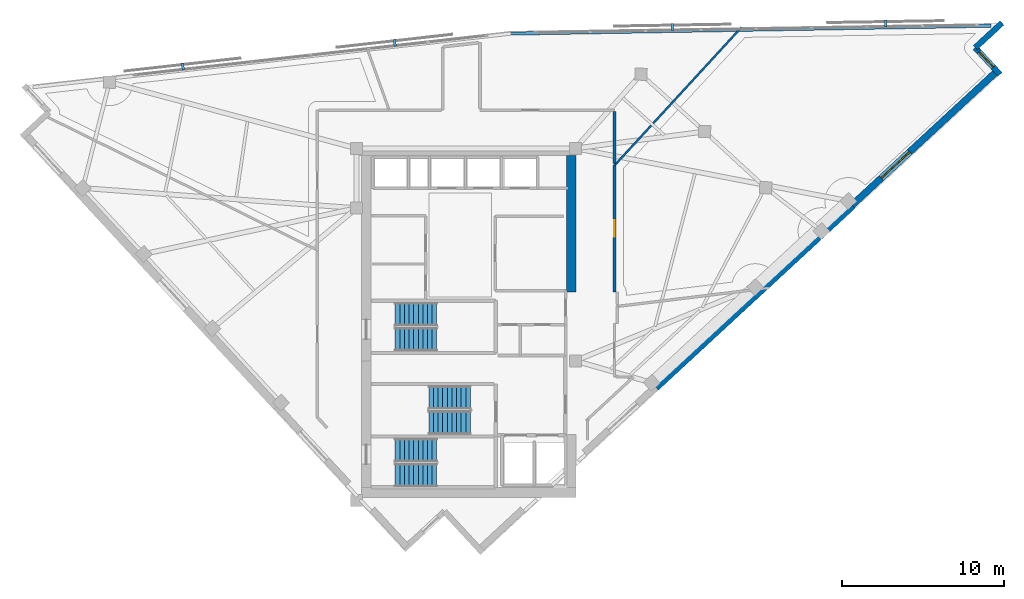
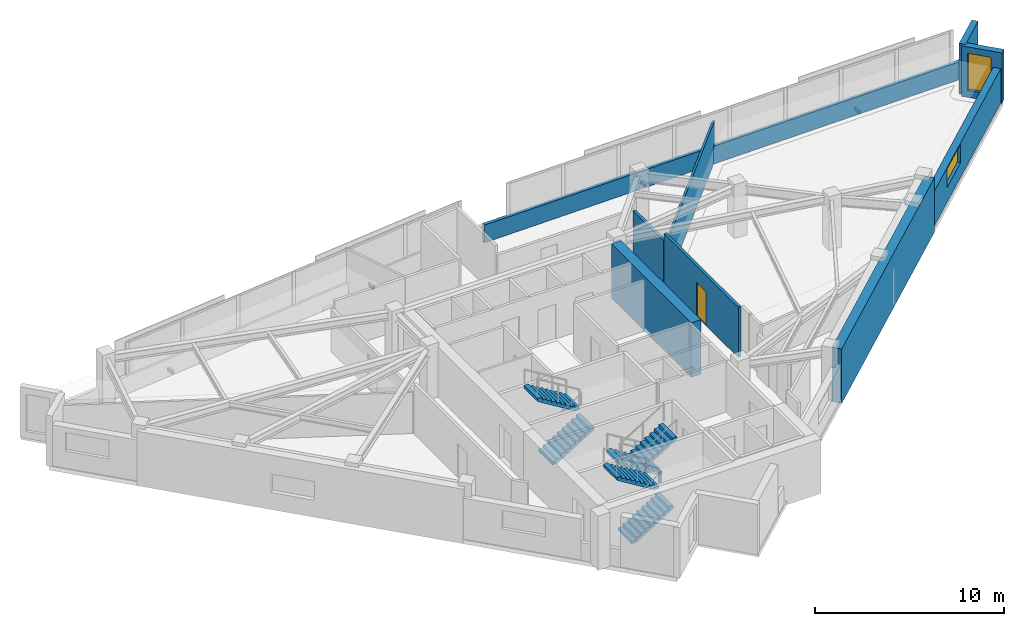
# One storey, part 10 of 12: 9 walls, 6 stair flights, 4 discrete accessories, 2 windows, 1 door, 3 openings, 3 elements without a shape of their own.
"""IFC4 building model written with IfcOpenShell, lengths in metres."""

from ifc_helpers import new_model, si_unit, direction, frame, frame_2d, origin, origin_2d, place, context, subcontext, project, spatial, polyline, rectangle, outline, extrude, material, layer, layer_set, type_object, element, fill, aggregate, save


model = new_model("IFC4")

# Units and contexts
model_context = context("Model", 3, precision=1e-05, world=origin(), true_north=direction((0.0, 1.0)))
body_context = subcontext(model_context, "Body", "Model", "MODEL_VIEW")
ifc_project = project(units=[si_unit("LENGTHUNIT", "METRE"), si_unit("AREAUNIT", "SQUARE_METRE"), si_unit("VOLUMEUNIT", "CUBIC_METRE"), si_unit("PLANEANGLEUNIT", "RADIAN"), si_unit("MASSUNIT", "GRAM", prefix="KILO")], contexts=[model_context])

# Site, building, storey
site_placement = place(None, origin())
site = spatial("IfcSite", under=ifc_project, at=site_placement, CompositionType="ELEMENT")
building_placement = place(site_placement, origin())
building = spatial("IfcBuilding", under=site, at=building_placement, Name="Narakoshi Arena Tower", CompositionType="ELEMENT")
storey_placement = place(building_placement, frame((0.0, 0.0, 267.780029296875)))
storey = spatial("IfcBuildingStorey", under=building, at=storey_placement, Name="L73", CompositionType="ELEMENT", Elevation=267.780029296875)

# Wall
ifc_material_1 = material(Name="Concrete C50/60", Category="concrete")
ifc_layer_1 = layer(ifc_material_1, 0.60009765625)
ifc_layer_set_1 = layer_set([ifc_layer_1], Name="Concrete C50/60")
wall_type_1 = type_object("IfcWallType", Name="WL-CORE-600", PredefinedType="SHEAR", material=ifc_layer_set_1)
wall_1_placement = place(storey_placement, frame((85.300048828125, 47.60009765625, -0.260009765625), z_axis=(0.0, 0.0, 1.0), x_axis=(0.0, 1.0, 0.0)))
element("IfcWall", 1, at=wall_1_placement, inside=storey, type_object=wall_type_1, Name="L73 Main Core Shear Wall CW-MN-E", PredefinedType="SHEAR", context=body_context, shape_type="SweptSolid", body=[
    extrude(rectangle(XDim=8.449951171875, YDim=0.60009765625, at=frame_2d((4.22509765625, 0.0))), origin(), (0.0, 0.0, 1.0), 3.52001953125),
])

# Wall, opening, door
ifc_material_2 = material(Name="Gypsum plasterboard fire-rated partition")
ifc_layer_2 = layer(ifc_material_2, 0.1650390625)
ifc_layer_set_2 = layer_set([ifc_layer_2], Name="Gypsum plasterboard fire-rated partition")
wall_type_2 = type_object("IfcWallType", Name="WL-CORR-165", PredefinedType="PARTITIONING", material=ifc_layer_set_2)
wall_2_placement = place(storey_placement, frame((87.966796875, 47.6201171875, 0.0), z_axis=(0.0, 0.0, 1.0), x_axis=(0.0, 1.0, 0.0)))
wall_2 = element("IfcWall", 2, at=wall_2_placement, inside=storey, type_object=wall_type_2, Name="L73 Corridor Partition 02-1", PredefinedType="PARTITIONING", context=body_context, shape_type="SweptSolid", body=[
    extrude(rectangle(XDim=7.84423828125, YDim=0.1650390625, at=frame_2d((3.922119140625, 0.0))), origin(), (0.0, 0.0, 1.0), 3.260009765625),
])
opening_1_placement = place(wall_2_placement, frame((3.422119140625, 0.0, 0.0)))
opening_1 = element("IfcOpeningElement", 3, at=opening_1_placement, cuts=wall_2, Name="Opening D-06", PredefinedType="OPENING", context=body_context, shape_type="SweptSolid", body=[
    extrude(rectangle(XDim=1.0, YDim=2.199951171875, at=frame_2d((0.5, 1.10009765625))), frame((0.0, 0.092529296875, 0.0), z_axis=(0.0, -1.0, 0.0), x_axis=(1.0, 0.0, 0.0)), (0.0, 0.0, 1.0), 0.18505859375),
])
ifc_material_3 = material(Name="Stained oak solid-core timber", Category="wood")
door_type = type_object("IfcDoorType", Name="DR-OFF-1000", OperationType="NOTDEFINED", PredefinedType="DOOR", material=ifc_material_3)
door_placement = place(opening_1_placement, frame((1.0, 0.0, 0.0), z_axis=(0.0, 0.0, 1.0), x_axis=(-1.0, 0.0, 0.0)))
door = element("IfcDoor", 4, at=door_placement, inside=storey, type_object=door_type, Name="DR-L73-017", OperationType="SINGLE_SWING_RIGHT", OverallHeight=2.199951171875, OverallWidth=1.0, PredefinedType="DOOR", context=body_context, shape_type="SweptSolid", body=[
    extrude(rectangle(XDim=1.0, YDim=2.199951171875, at=frame_2d((0.5, 1.10009765625))), frame((0.0, 0.02490234375, 0.0), z_axis=(0.0, -1.0, 0.0), x_axis=(1.0, 0.0, 0.0)), (0.0, 0.0, 1.0), 0.050048828125),
])
fill(opening_1, door)

# Walls
wall_3_placement = place(storey_placement, frame((87.966796875, 55.5498046875, 0.0), z_axis=(0.0, 0.0, 1.0), x_axis=(0.0, 1.0, 0.0)))
element("IfcWall", 5, at=wall_3_placement, inside=storey, type_object=wall_type_2, Name="L73 Corridor Partition 03-4", PredefinedType="PARTITIONING", context=body_context, shape_type="SweptSolid", body=[
    extrude(rectangle(XDim=3.222412109375, YDim=0.1650390625, at=frame_2d((1.611328125, 0.0))), origin(), (0.0, 0.0, 1.0), 2.744873046875),
])
ifc_layer_3 = layer(ifc_material_1, 0.550048828125)
ifc_layer_set_3 = layer_set([ifc_layer_3], Name="Concrete C50/60")
wall_type_3 = type_object("IfcWallType", Name="WL-LEG-550", PredefinedType="SHEAR", material=ifc_layer_set_3)
wall_4_placement = place(storey_placement, frame((90.5078125, 41.739501953125, -0.260009765625), z_axis=(0.0, 0.0, 1.0), x_axis=(0.734315848115, 0.678807951638, 0.0)))
element("IfcWall", 6, at=wall_4_placement, inside=storey, type_object=wall_type_3, Name="L73 Architectural Concrete Structural Wall LEGA-3", PredefinedType="SHEAR", context=body_context, shape_type="SweptSolid", body=[
    extrude(rectangle(XDim=16.57275390625, YDim=0.550048828125, at=frame_2d((8.286376953125, 0.0))), origin(), (0.0, 0.0, 1.0), 3.52001953125),
])
ifc_material_4 = material(Name="Precast concrete C45/55", Category="concrete")
ifc_layer_4 = layer(ifc_material_4, 0.25)
ifc_layer_set_4 = layer_set([ifc_layer_4], Name="Precast concrete C45/55")
wall_type_4 = type_object("IfcWallType", Name="WL-PARA-250", PredefinedType="PARAPET", material=ifc_layer_set_4)
wall_5_placement = place(storey_placement, frame((111.2705078125, 64.091796875, 0.0), z_axis=(0.0, 0.0, 1.0), x_axis=(-0.999864741935, -0.016446818413, 0.0)))
element("IfcWall", 7, at=wall_5_placement, inside=storey, type_object=wall_type_4, Name="L73 Hypotenuse Sill Upstand Parapet 1-01", PredefinedType="PARAPET", context=body_context, shape_type="SweptSolid", body=[
    extrude(rectangle(XDim=29.73291015625, YDim=0.199951171875, at=frame_2d((14.866455078125, 0.0))), origin(), (0.0, 0.0, 1.0), 1.14990234375),
])
ifc_layer_5 = layer(ifc_material_2, 0.125)
ifc_layer_set_5 = layer_set([ifc_layer_5], Name="Gypsum plasterboard fire-rated partition")
wall_type_5 = type_object("IfcWallType", Name="WL-PART-125", PredefinedType="PARTITIONING", material=ifc_layer_set_5)
wall_6_placement = place(storey_placement, frame((87.989501953125, 55.46435546875, 0.0), z_axis=(0.0, 0.0, 1.0), x_axis=(0.676751206436, 0.736211793295, 0.0)))
element("IfcWall", 8, at=wall_6_placement, inside=storey, type_object=wall_type_5, Name="L73 Inter-Room Partition 02-03", PredefinedType="PARTITIONING", context=body_context, shape_type="SweptSolid", body=[
    extrude(rectangle(XDim=11.591064453125, YDim=0.125, at=frame_2d((5.79541015625, 0.0))), origin(), (0.0, 0.0, 1.0), 2.64501953125),
])

# Wall, opening, window
ifc_layer_6 = layer(ifc_material_4, 0.419921875)
ifc_layer_set_6 = layer_set([ifc_layer_6], Name="Precast concrete C45/55")
wall_type_6 = type_object("IfcWallType", Name="WL-POD-420", PredefinedType="SOLIDWALL", material=ifc_layer_set_6)
wall_7_placement = place(storey_placement, frame((102.677490234375, 52.9892578125, 0.0), z_axis=(0.0, 0.0, 1.0), x_axis=(0.734331107219, 0.678791444386, 0.0)))
wall_7 = element("IfcWall", 9, at=wall_7_placement, inside=storey, type_object=wall_type_6, Name="L73 Architectural Concrete Facade Wall LEGA-4", PredefinedType="SOLIDWALL", context=body_context, shape_type="SweptSolid", body=[
    extrude(rectangle(XDim=12.21142578125, YDim=0.419921875, at=frame_2d((6.105712890625, 0.0))), origin(), (0.0, 0.0, 1.0), 2.244873046875),
])
opening_2_placement = place(wall_7_placement, frame((2.453857421875, 0.0, 0.965087890625)))
opening_2 = element("IfcOpeningElement", 10, at=opening_2_placement, cuts=wall_7, Name="Opening WN-04", PredefinedType="OPENING", context=body_context, shape_type="SweptSolid", body=[
    extrude(rectangle(XDim=2.39990234375, YDim=1.199951171875, at=frame_2d((1.199951171875, 0.60009765625))), frame((0.0, 0.219970703125, 0.0), z_axis=(0.0, -1.0, 0.0), x_axis=(1.0, 0.0, 0.0)), (0.0, 0.0, 1.0), 0.43994140625),
])
ifc_material_5 = material(Name="Bronze-tinted low-E laminated glass", Category="glass")
window_type_1 = type_object("IfcWindowType", Name="WIN-SLT-24x12", PartitioningType="SINGLE_PANEL", PredefinedType="WINDOW", material=ifc_material_5)
window_1_placement = place(opening_2_placement, origin())
window_1 = element("IfcWindow", 11, at=window_1_placement, inside=storey, type_object=window_type_1, Name="L73 LEGA4 Horizontal Slot Window 1", OverallHeight=1.199951171875, OverallWidth=2.39990234375, PartitioningType="SINGLE_PANEL", PredefinedType="WINDOW", context=body_context, shape_type="SweptSolid", body=[
    extrude(rectangle(XDim=2.39990234375, YDim=1.199951171875, at=frame_2d((1.199951171875, 0.60009765625))), frame((0.0, 0.030029296875, 0.0), z_axis=(0.0, -1.0, 0.0), x_axis=(1.0, 0.0, 0.0)), (0.0, 0.0, 1.0), 0.06005859375),
])
fill(opening_2, window_1)

wall_8_placement = place(storey_placement, frame((111.83154296875, 61.076416015625, 0.0), z_axis=(0.0, 0.0, 1.0), x_axis=(-0.678792531533, 0.734330102294, 0.0)))
wall_8 = element("IfcWall", 12, at=wall_8_placement, inside=storey, type_object=wall_type_6, Name="L73 Re-Entrant Corner Notch Wall NTE-1", PredefinedType="SOLIDWALL", context=body_context, shape_type="SweptSolid", body=[
    extrude(rectangle(XDim=2.255126953125, YDim=0.360107421875, at=frame_2d((1.12744140625, 0.0))), origin(), (0.0, 0.0, 1.0), 3.260009765625),
])
opening_3_placement = place(wall_8_placement, frame((0.614990234375, 0.0, 0.449951171875)))
opening_3 = element("IfcOpeningElement", 13, at=opening_3_placement, cuts=wall_8, Name="Opening WN-06", PredefinedType="OPENING", context=body_context, shape_type="SweptSolid", body=[
    extrude(rectangle(XDim=1.300048828125, YDim=2.39990234375, at=frame_2d((0.64990234375, 1.199951171875))), frame((0.0, 0.18994140625, 0.0), z_axis=(0.0, -1.0, 0.0), x_axis=(1.0, 0.0, 0.0)), (0.0, 0.0, 1.0), 0.380126953125),
])
window_type_2 = type_object("IfcWindowType", Name="WIN-NTC-16x24", PartitioningType="SINGLE_PANEL", PredefinedType="WINDOW", material=ifc_material_5)
window_2_placement = place(opening_3_placement, origin())
window_2 = element("IfcWindow", 14, at=window_2_placement, inside=storey, type_object=window_type_2, Name="L73 Corner Notch Window NTE", OverallHeight=2.39990234375, OverallWidth=1.300048828125, PartitioningType="SINGLE_PANEL", PredefinedType="WINDOW", context=body_context, shape_type="SweptSolid", body=[
    extrude(rectangle(XDim=1.300048828125, YDim=2.39990234375, at=frame_2d((0.64990234375, 1.199951171875))), frame((0.0, 0.030029296875, 0.0), z_axis=(0.0, -1.0, 0.0), x_axis=(1.0, 0.0, 0.0)), (0.0, 0.0, 1.0), 0.06005859375),
])
fill(opening_3, window_2)

# Wall
wall_9_placement = place(storey_placement, frame((110.30078125, 62.732421875, 0.0), z_axis=(0.0, 0.0, 1.0), x_axis=(0.734330102294, 0.678792531533, 0.0)))
element("IfcWall", 15, at=wall_9_placement, inside=storey, type_object=wall_type_6, Name="L73 Re-Entrant Corner Notch Wall NTE-2", PredefinedType="SOLIDWALL", context=body_context, shape_type="SweptSolid", body=[
    extrude(rectangle(XDim=2.255126953125, YDim=0.360107421875, at=frame_2d((1.12744140625, 0.0))), origin(), (0.0, 0.0, 1.0), 3.260009765625),
])

# Stair, stair flights
ifc_material_6 = material(Name="Concrete C45/55", Category="concrete")
stair_type = type_object("IfcStairType", Name="STR-CORE-352", PredefinedType="TWO_STRAIGHT_RUN_STAIR", material=ifc_material_6)
stair_1_placement = place(storey_placement, origin())
stair_1 = element("IfcStair", 16, at=stair_1_placement, inside=storey, type_object=stair_type, Name="L73 Core Escape Stair ST1", PredefinedType="TWO_STRAIGHT_RUN_STAIR")
stair_flight_type = type_object("IfcStairFlightType", Name="FLT-145-160", PredefinedType="STRAIGHT", material=ifc_material_4)
stair_flight_1_placement = place(storey_placement, frame((74.39990234375, 36.27490234375, 0.0), z_axis=(0.0, 0.0, 1.0), x_axis=(1.0, 0.0, 0.0)))
stair_flight_1 = element("IfcStairFlight", 17, at=stair_flight_1_placement, type_object=stair_flight_type, Name="ST1 flight 1", NumberOfRisers=10, NumberOfTreads=9, PredefinedType="STRAIGHT", RiserHeight=0.176, TreadLength=0.285, context=body_context, shape_type="SweptSolid", body=[
    extrude(outline(polyline([(0.0, 0.0), (0.0, 0.176025390625), (0.284912109375, 0.176025390625), (0.284912109375, 0.35205078125), (0.570068359375, 0.35205078125), (0.570068359375, 0.528076171875), (0.85498046875, 0.528076171875), (0.85498046875, 0.7041015625), (1.139892578125, 0.7041015625), (1.139892578125, 0.8798828125), (1.425048828125, 0.8798828125), (1.425048828125, 1.055908203125), (1.7099609375, 1.055908203125), (1.7099609375, 1.23193359375), (1.9951171875, 1.23193359375), (1.9951171875, 1.407958984375), (2.280029296875, 1.407958984375), (2.280029296875, 1.583984375), (2.56494140625, 1.583984375), (2.56494140625, 1.760009765625), (2.56494140625, 1.40771484375), (0.285400390625, 0.0), (0.0, 0.0)])), frame((0.0, 0.72509765625, 0.0), z_axis=(0.0, -1.0, 0.0), x_axis=(1.0, 0.0, 0.0)), (0.0, 0.0, 1.0), 1.449951171875),
])
stair_flight_2_placement = place(storey_placement, frame((76.965087890625, 37.824951171875, 1.760009765625), z_axis=(0.0, 0.0, 1.0), x_axis=(-1.0, 0.0, 0.0)))
stair_flight_2 = element("IfcStairFlight", 18, at=stair_flight_2_placement, type_object=stair_flight_type, Name="ST1 flight 2", NumberOfRisers=10, NumberOfTreads=9, PredefinedType="STRAIGHT", RiserHeight=0.176, TreadLength=0.285, context=body_context, shape_type="SweptSolid", body=[
    extrude(outline(polyline([(0.0, 0.0), (0.0, 0.176025390625), (0.284912109375, 0.176025390625), (0.284912109375, 0.35205078125), (0.570068359375, 0.35205078125), (0.570068359375, 0.528076171875), (0.85498046875, 0.528076171875), (0.85498046875, 0.7041015625), (1.139892578125, 0.7041015625), (1.139892578125, 0.8798828125), (1.425048828125, 0.8798828125), (1.425048828125, 1.055908203125), (1.7099609375, 1.055908203125), (1.7099609375, 1.23193359375), (1.9951171875, 1.23193359375), (1.9951171875, 1.407958984375), (2.280029296875, 1.407958984375), (2.280029296875, 1.583984375), (2.56494140625, 1.583984375), (2.56494140625, 1.760009765625), (2.56494140625, 1.40771484375), (0.285400390625, 0.0), (0.0, 0.0)])), frame((0.0, 0.72509765625, 0.0), z_axis=(0.0, -1.0, 0.0), x_axis=(1.0, 0.0, 0.0)), (0.0, 0.0, 1.0), 1.449951171875),
])
aggregate(stair_1, [stair_flight_1, stair_flight_2])

stair_2_placement = place(storey_placement, origin())
stair_2 = element("IfcStair", 19, at=stair_2_placement, inside=storey, type_object=stair_type, Name="L73 Core Escape Stair ST2", PredefinedType="TWO_STRAIGHT_RUN_STAIR")
stair_flight_3_placement = place(storey_placement, frame((79.050048828125, 41.074951171875, 0.0), z_axis=(0.0, 0.0, 1.0), x_axis=(-1.0, 0.0, 0.0)))
stair_flight_3 = element("IfcStairFlight", 20, at=stair_flight_3_placement, type_object=stair_flight_type, Name="ST2 flight 1", NumberOfRisers=10, NumberOfTreads=9, PredefinedType="STRAIGHT", RiserHeight=0.176, TreadLength=0.285, context=body_context, shape_type="SweptSolid", body=[
    extrude(outline(polyline([(0.0, 0.0), (0.0, 0.176025390625), (0.284912109375, 0.176025390625), (0.284912109375, 0.35205078125), (0.570068359375, 0.35205078125), (0.570068359375, 0.528076171875), (0.85498046875, 0.528076171875), (0.85498046875, 0.7041015625), (1.139892578125, 0.7041015625), (1.139892578125, 0.8798828125), (1.425048828125, 0.8798828125), (1.425048828125, 1.055908203125), (1.7099609375, 1.055908203125), (1.7099609375, 1.23193359375), (1.9951171875, 1.23193359375), (1.9951171875, 1.407958984375), (2.280029296875, 1.407958984375), (2.280029296875, 1.583984375), (2.56494140625, 1.583984375), (2.56494140625, 1.760009765625), (2.56494140625, 1.40771484375), (0.285400390625, 0.0), (0.0, 0.0)])), frame((0.0, 0.72509765625, 0.0), z_axis=(0.0, -1.0, 0.0), x_axis=(1.0, 0.0, 0.0)), (0.0, 0.0, 1.0), 1.449951171875),
])
stair_flight_4_placement = place(storey_placement, frame((76.485107421875, 39.52490234375, 1.760009765625), z_axis=(0.0, 0.0, 1.0), x_axis=(1.0, 0.0, 0.0)))
stair_flight_4 = element("IfcStairFlight", 21, at=stair_flight_4_placement, type_object=stair_flight_type, Name="ST2 flight 2", NumberOfRisers=10, NumberOfTreads=9, PredefinedType="STRAIGHT", RiserHeight=0.176, TreadLength=0.285, context=body_context, shape_type="SweptSolid", body=[
    extrude(outline(polyline([(0.0, 0.0), (0.0, 0.176025390625), (0.284912109375, 0.176025390625), (0.284912109375, 0.35205078125), (0.570068359375, 0.35205078125), (0.570068359375, 0.528076171875), (0.85498046875, 0.528076171875), (0.85498046875, 0.7041015625), (1.139892578125, 0.7041015625), (1.139892578125, 0.8798828125), (1.425048828125, 0.8798828125), (1.425048828125, 1.055908203125), (1.7099609375, 1.055908203125), (1.7099609375, 1.23193359375), (1.9951171875, 1.23193359375), (1.9951171875, 1.407958984375), (2.280029296875, 1.407958984375), (2.280029296875, 1.583984375), (2.56494140625, 1.583984375), (2.56494140625, 1.760009765625), (2.56494140625, 1.40771484375), (0.285400390625, 0.0), (0.0, 0.0)])), frame((0.0, 0.72509765625, 0.0), z_axis=(0.0, -1.0, 0.0), x_axis=(1.0, 0.0, 0.0)), (0.0, 0.0, 1.0), 1.449951171875),
])
aggregate(stair_2, [stair_flight_3, stair_flight_4])

stair_3_placement = place(storey_placement, origin())
stair_3 = element("IfcStair", 22, at=stair_3_placement, inside=storey, type_object=stair_type, Name="L73 Core Escape Stair ST3", PredefinedType="TWO_STRAIGHT_RUN_STAIR")
stair_flight_5_placement = place(storey_placement, frame((74.39990234375, 44.675048828125, 0.0), z_axis=(0.0, 0.0, 1.0), x_axis=(1.0, 0.0, 0.0)))
stair_flight_5 = element("IfcStairFlight", 23, at=stair_flight_5_placement, type_object=stair_flight_type, Name="ST3 flight 1", NumberOfRisers=10, NumberOfTreads=9, PredefinedType="STRAIGHT", RiserHeight=0.176, TreadLength=0.285, context=body_context, shape_type="SweptSolid", body=[
    extrude(outline(polyline([(0.0, 0.0), (0.0, 0.176025390625), (0.284912109375, 0.176025390625), (0.284912109375, 0.35205078125), (0.570068359375, 0.35205078125), (0.570068359375, 0.528076171875), (0.85498046875, 0.528076171875), (0.85498046875, 0.7041015625), (1.139892578125, 0.7041015625), (1.139892578125, 0.8798828125), (1.425048828125, 0.8798828125), (1.425048828125, 1.055908203125), (1.7099609375, 1.055908203125), (1.7099609375, 1.23193359375), (1.9951171875, 1.23193359375), (1.9951171875, 1.407958984375), (2.280029296875, 1.407958984375), (2.280029296875, 1.583984375), (2.56494140625, 1.583984375), (2.56494140625, 1.760009765625), (2.56494140625, 1.40771484375), (0.285400390625, 0.0), (0.0, 0.0)])), frame((0.0, 0.72509765625, 0.0), z_axis=(0.0, -1.0, 0.0), x_axis=(1.0, 0.0, 0.0)), (0.0, 0.0, 1.0), 1.449951171875),
])
stair_flight_6_placement = place(storey_placement, frame((76.965087890625, 46.22509765625, 1.760009765625), z_axis=(0.0, 0.0, 1.0), x_axis=(-1.0, 0.0, 0.0)))
stair_flight_6 = element("IfcStairFlight", 24, at=stair_flight_6_placement, type_object=stair_flight_type, Name="ST3 flight 2", NumberOfRisers=10, NumberOfTreads=9, PredefinedType="STRAIGHT", RiserHeight=0.176, TreadLength=0.285, context=body_context, shape_type="SweptSolid", body=[
    extrude(outline(polyline([(0.0, 0.0), (0.0, 0.176025390625), (0.284912109375, 0.176025390625), (0.284912109375, 0.35205078125), (0.570068359375, 0.35205078125), (0.570068359375, 0.528076171875), (0.85498046875, 0.528076171875), (0.85498046875, 0.7041015625), (1.139892578125, 0.7041015625), (1.139892578125, 0.8798828125), (1.425048828125, 0.8798828125), (1.425048828125, 1.055908203125), (1.7099609375, 1.055908203125), (1.7099609375, 1.23193359375), (1.9951171875, 1.23193359375), (1.9951171875, 1.407958984375), (2.280029296875, 1.407958984375), (2.280029296875, 1.583984375), (2.56494140625, 1.583984375), (2.56494140625, 1.760009765625), (2.56494140625, 1.40771484375), (0.285400390625, 0.0), (0.0, 0.0)])), frame((0.0, 0.72509765625, 0.0), z_axis=(0.0, -1.0, 0.0), x_axis=(1.0, 0.0, 0.0)), (0.0, 0.0, 1.0), 1.449951171875),
])
aggregate(stair_3, [stair_flight_5, stair_flight_6])

# Discrete accessories
ifc_material_7 = material(Name="Structural steel S355J2", Category="steel")
discrete_accessory_type = type_object("IfcDiscreteAccessoryType", Name="ACC-BRK-SCR", PredefinedType="BRACKET", material=ifc_material_7)
for number, where, z_axis, x_axis, name in (
    (25, (104.75634765625, 64.224609375, -0.080078125), (0.0, 0.0, 1.0), (-0.999864849778, -0.016440260879, 0.0), "L73 Solar Screen Support Bracket SHD-L73-SCR1-1"),
    (26, (91.55810546875, 64.007568359375, -0.080078125), (0.0, 0.0, 1.0), (-0.999864849778, -0.016440260879, 0.0), "L73 Solar Screen Support Bracket SHD-L73-SCR1-2"),
    (27, (74.374755859375, 63.040283203125, -0.080078125), (0.0, 0.0, 1.0), (-0.993775698738, -0.111399553846, 0.0), "L73 Solar Screen Support Bracket SHD-L73-SCR2-1"),
    (28, (61.2568359375, 61.56982421875, -0.080078125), (0.0, 0.0, 1.0), (-0.993775698738, -0.111399553846, 0.0), "L73 Solar Screen Support Bracket SHD-L73-SCR2-2"),
):
    element("IfcDiscreteAccessory", number, at=place(storey_placement, frame(where, z_axis=z_axis, x_axis=x_axis)), inside=storey, type_object=discrete_accessory_type, Name=name, PredefinedType="BRACKET", context=body_context, shape_type="SweptSolid", body=[
        extrude(rectangle(XDim=0.159912109375, YDim=0.43994140625, at=origin_2d()), origin(), (0.0, 0.0, 1.0), 0.199951171875),
    ])

save(model, "model.ifc")
